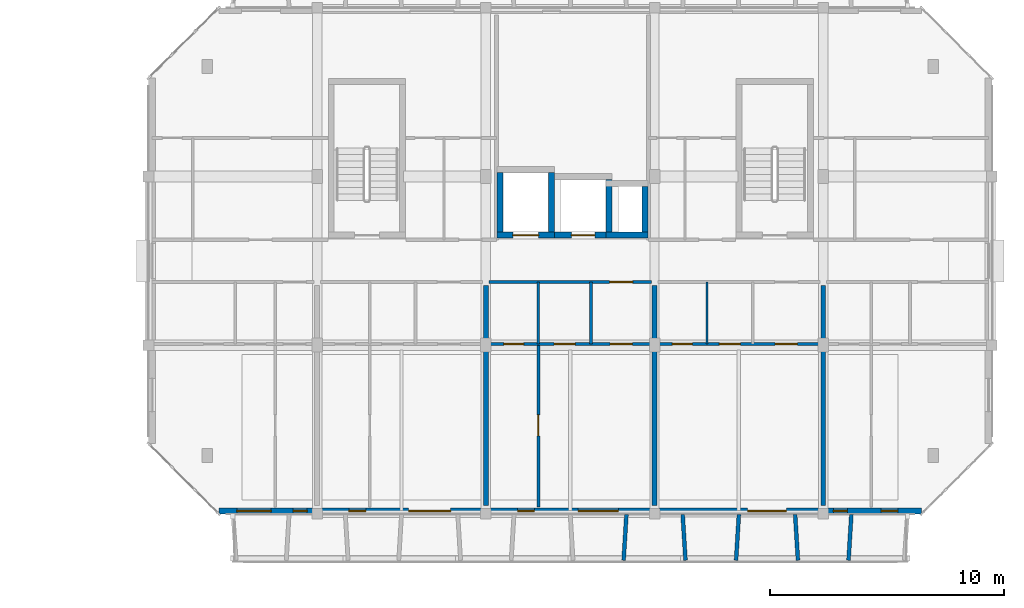
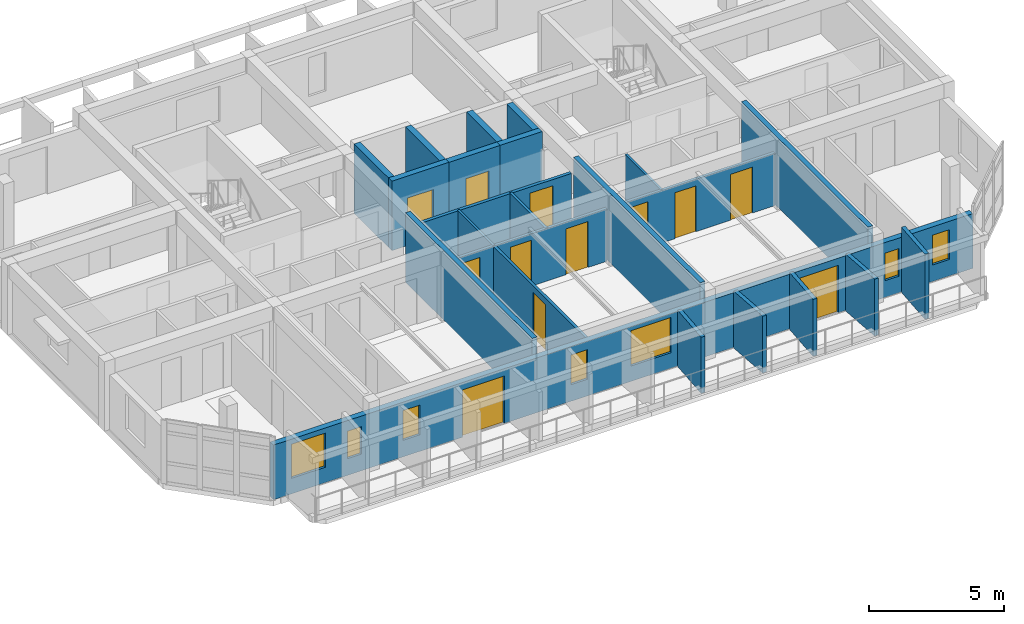
# One storey, part 26 of 43: 23 walls, 12 doors, 7 windows, 19 openings.
"""IFC4 building model written with IfcOpenShell, lengths in metres."""

from ifc_helpers import new_model, si_unit, direction, frame, frame_2d, origin, place, context, subcontext, project, spatial, rectangle, extrude, material, layer, layer_set, type_object, element, fill, save


model = new_model("IFC4")

# Units and contexts
model_context = context("Model", 3, precision=1e-05, world=origin(), true_north=direction((0.0, 1.0)))
body_context = subcontext(model_context, "Body", "Model", "MODEL_VIEW")
ifc_project = project(units=[si_unit("LENGTHUNIT", "METRE"), si_unit("AREAUNIT", "SQUARE_METRE"), si_unit("VOLUMEUNIT", "CUBIC_METRE"), si_unit("PLANEANGLEUNIT", "RADIAN"), si_unit("MASSUNIT", "GRAM", prefix="KILO")], contexts=[model_context])

# Site, building, storey
site_placement = place(None, origin())
site = spatial("IfcSite", under=ifc_project, at=site_placement, CompositionType="ELEMENT")
building_placement = place(site_placement, origin())
building = spatial("IfcBuilding", under=site, at=building_placement, Name="Ochrevale Crest", CompositionType="ELEMENT")
storey_placement = place(building_placement, frame((0.0, 0.0, 30.75)))
storey = spatial("IfcBuildingStorey", under=building, at=storey_placement, Name="L09", CompositionType="ELEMENT", Elevation=30.75)

# Wall, opening, door
ifc_material_1 = material(Name="Gypsum plasterboard", Category="gypsum")
ifc_layer_1 = layer(ifc_material_1, 0.139892578125)
ifc_layer_set_1 = layer_set([ifc_layer_1], Name="Gypsum plasterboard")
wall_type_1 = type_object("IfcWallType", Name="WL-COR-140", PredefinedType="PARTITIONING", material=ifc_layer_set_1)
wall_1_placement = place(storey_placement, frame((144.139892578125, 24.300048828125, 0.0), z_axis=(0.0, 0.0, 1.0), x_axis=(1.0, 0.0, 0.0)))
wall_1 = element("IfcWall", 1, at=wall_1_placement, inside=storey, type_object=wall_type_1, Name="Apartment C-L09-U3 corridor wall", PredefinedType="PARTITIONING", context=body_context, shape_type="SweptSolid", body=[
    extrude(rectangle(XDim=6.920166015625, YDim=0.139892578125, at=frame_2d((3.4599609375, 0.0))), origin(), (0.0, 0.0, 1.0), 2.3798828125),
])
opening_1_placement = place(wall_1_placement, frame((5.14501953125, 0.0, 0.0)))
opening_1 = element("IfcOpeningElement", 2, at=opening_1_placement, cuts=wall_1, Name="Opening FD01", PredefinedType="OPENING", context=body_context, shape_type="SweptSolid", body=[
    extrude(rectangle(XDim=0.97998046875, YDim=2.10009765625, at=frame_2d((0.489990234375, 1.050048828125))), frame((0.0, 0.080078125, 0.0), z_axis=(0.0, -1.0, 0.0), x_axis=(1.0, 0.0, 0.0)), (0.0, 0.0, 1.0), 0.159912109375),
])
ifc_material_2 = material(Name="Solid-core FSC hardwood", Category="wood")
door_type_1 = type_object("IfcDoorType", Name="DR-APT-950", OperationType="NOTDEFINED", PredefinedType="DOOR", material=ifc_material_2)
door_1_placement = place(opening_1_placement, origin())
door_1 = element("IfcDoor", 3, at=door_1_placement, inside=storey, type_object=door_type_1, Name="Apartment C-L09-U3 entrance door", OperationType="SINGLE_SWING_LEFT", OverallHeight=2.10009765625, OverallWidth=0.97998046875, PredefinedType="DOOR", context=body_context, shape_type="SweptSolid", body=[
    extrude(rectangle(XDim=0.97998046875, YDim=2.10009765625, at=frame_2d((0.489990234375, 1.050048828125))), frame((0.0, 0.02490234375, 0.0), z_axis=(0.0, -1.0, 0.0), x_axis=(1.0, 0.0, 0.0)), (0.0, 0.0, 1.0), 0.050048828125),
])
fill(opening_1, door_1)

ifc_material_3 = material(Name="Precast concrete C50/60", Category="concrete")
ifc_layer_2 = layer(ifc_material_3, 0.2548828125)
ifc_layer_set_2 = layer_set([ifc_layer_2], Name="Precast concrete C50/60")
wall_type_2 = type_object("IfcWallType", Name="WL-CORE-255", PredefinedType="SHEAR", material=ifc_layer_set_2)
wall_2_placement = place(storey_placement, frame((144.472412109375, 26.300048828125, 0.0), z_axis=(0.0, 0.0, 1.0), x_axis=(1.0, 0.0, 0.0)))
wall_2 = element("IfcWall", 4, at=wall_2_placement, inside=storey, type_object=wall_type_2, Name="Block C L09 Lift 1 precast shaft shear wall S", PredefinedType="SHEAR", context=body_context, shape_type="SweptSolid", body=[
    extrude(rectangle(XDim=2.455078125, YDim=0.2548828125, at=frame_2d((1.2275390625, 0.0))), origin(), (0.0, 0.0, 1.0), 3.14990234375),
])
opening_2_placement = place(wall_2_placement, frame((0.677490234375, 0.0, 0.0)))
opening_2 = element("IfcOpeningElement", 5, at=opening_2_placement, cuts=wall_2, Name="Opening LD01", PredefinedType="OPENING", context=body_context, shape_type="SweptSolid", body=[
    extrude(rectangle(XDim=1.10009765625, YDim=2.14990234375, at=frame_2d((0.550048828125, 1.074951171875))), frame((0.0, 0.137451171875, 0.0), z_axis=(0.0, -1.0, 0.0), x_axis=(1.0, 0.0, 0.0)), (0.0, 0.0, 1.0), 0.27490234375),
])
door_type_2 = type_object("IfcDoorType", Name="DR-LIFT-1100", OperationType="NOTDEFINED", PredefinedType="DOOR", material=ifc_material_2)
door_2_placement = place(opening_2_placement, origin())
door_2 = element("IfcDoor", 6, at=door_2_placement, inside=storey, type_object=door_type_2, Name="Lift LF-C1 L09 sliding landing door", OperationType="SLIDING_TO_LEFT", OverallHeight=2.14990234375, OverallWidth=1.10009765625, PredefinedType="DOOR", context=body_context, shape_type="SweptSolid", body=[
    extrude(rectangle(XDim=1.10009765625, YDim=2.14990234375, at=frame_2d((0.550048828125, 1.074951171875))), frame((0.0, 0.02490234375, 0.0), z_axis=(0.0, -1.0, 0.0), x_axis=(1.0, 0.0, 0.0)), (0.0, 0.0, 1.0), 0.050048828125),
])
fill(opening_2, door_2)

# Walls
for number, where, z_axis, x_axis, name in (
    (7, (144.60009765625, 26.427490234375, 0.0), (0.0, 0.0, 1.0), (0.0, 1.0, 0.0), "Block C L09 Lift 1 precast shaft shear wall W"),
    (8, (146.800048828125, 26.427490234375, 0.0), (0.0, 0.0, 1.0), (0.0, 1.0, 0.0), "Block C L09 Lift 1 precast shaft shear wall E"),
):
    element("IfcWall", number, at=place(storey_placement, frame(where, z_axis=z_axis, x_axis=x_axis)), inside=storey, type_object=wall_type_2, Name=name, PredefinedType="SHEAR", context=body_context, shape_type="SweptSolid", body=[
        extrude(rectangle(XDim=2.544921875, YDim=0.2548828125, at=frame_2d((1.2724609375, 0.0))), origin(), (0.0, 0.0, 1.0), 3.14990234375),
    ])

# Wall, opening, door
wall_3_placement = place(storey_placement, frame((146.922607421875, 26.300048828125, 0.0), z_axis=(0.0, 0.0, 1.0), x_axis=(1.0, 0.0, 0.0)))
wall_3 = element("IfcWall", 9, at=wall_3_placement, inside=storey, type_object=wall_type_2, Name="Block C L09 Lift 2 precast shaft shear wall S", PredefinedType="SHEAR", context=body_context, shape_type="SweptSolid", body=[
    extrude(rectangle(XDim=2.454833984375, YDim=0.2548828125, at=frame_2d((1.2275390625, 0.0))), origin(), (0.0, 0.0, 1.0), 3.14990234375),
])
opening_3_placement = place(wall_3_placement, frame((0.7275390625, 0.0, 0.0)))
opening_3 = element("IfcOpeningElement", 10, at=opening_3_placement, cuts=wall_3, Name="Opening LD02", PredefinedType="OPENING", context=body_context, shape_type="SweptSolid", body=[
    extrude(rectangle(XDim=1.0, YDim=2.14990234375, at=frame_2d((0.5, 1.074951171875))), frame((0.0, 0.137451171875, 0.0), z_axis=(0.0, -1.0, 0.0), x_axis=(1.0, 0.0, 0.0)), (0.0, 0.0, 1.0), 0.27490234375),
])
door_type_3 = type_object("IfcDoorType", Name="DR-LIFT-1000", OperationType="NOTDEFINED", PredefinedType="DOOR", material=ifc_material_2)
door_3_placement = place(opening_3_placement, origin())
door_3 = element("IfcDoor", 11, at=door_3_placement, inside=storey, type_object=door_type_3, Name="Lift LP-C2 L09 sliding landing door", OperationType="SLIDING_TO_RIGHT", OverallHeight=2.14990234375, OverallWidth=1.0, PredefinedType="DOOR", context=body_context, shape_type="SweptSolid", body=[
    extrude(rectangle(XDim=1.0, YDim=2.14990234375, at=frame_2d((0.5, 1.074951171875))), frame((0.0, 0.02490234375, 0.0), z_axis=(0.0, -1.0, 0.0), x_axis=(1.0, 0.0, 0.0)), (0.0, 0.0, 1.0), 0.050048828125),
])
fill(opening_3, door_3)

# Walls
wall_4_placement = place(storey_placement, frame((149.25, 26.427490234375, 0.0), z_axis=(0.0, 0.0, 1.0), x_axis=(0.0, 1.0, 0.0)))
element("IfcWall", 12, at=wall_4_placement, inside=storey, type_object=wall_type_2, Name="Block C L09 Lift 2 precast shaft shear wall E", PredefinedType="SHEAR", context=body_context, shape_type="SweptSolid", body=[
    extrude(rectangle(XDim=2.2451171875, YDim=0.2548828125, at=frame_2d((1.12255859375, 0.0))), origin(), (0.0, 0.0, 1.0), 3.14990234375),
])
wall_5_placement = place(storey_placement, frame((149.12255859375, 26.300048828125, 0.0), z_axis=(0.0, 0.0, 1.0), x_axis=(1.0, 0.0, 0.0)))
element("IfcWall", 13, at=wall_5_placement, inside=storey, type_object=wall_type_2, Name="Block C L09 services riser shaft core wall S", PredefinedType="SHEAR", context=body_context, shape_type="SweptSolid", body=[
    extrude(rectangle(XDim=1.804931640625, YDim=0.2548828125, at=frame_2d((0.90234375, 0.0))), origin(), (0.0, 0.0, 1.0), 3.14990234375),
])
wall_6_placement = place(storey_placement, frame((150.800048828125, 26.427490234375, 0.0), z_axis=(0.0, 0.0, 1.0), x_axis=(0.0, 1.0, 0.0)))
element("IfcWall", 14, at=wall_6_placement, inside=storey, type_object=wall_type_2, Name="Block C L09 services riser shaft core wall E", PredefinedType="SHEAR", context=body_context, shape_type="SweptSolid", body=[
    extrude(rectangle(XDim=1.945068359375, YDim=0.2548828125, at=frame_2d((0.97265625, 0.0))), origin(), (0.0, 0.0, 1.0), 3.14990234375),
])

# Wall, openings, doors, windows
ifc_material_4 = material(Name="Precast concrete C40/50", Category="concrete")
ifc_layer_3 = layer(ifc_material_4, 0.25)
ifc_layer_set_3 = layer_set([ifc_layer_3], Name="Precast concrete C40/50")
wall_type_3 = type_object("IfcWallType", Name="WL-EXT-GOLD-250", PredefinedType="SOLIDWALL", material=ifc_layer_set_3)
wall_7_placement = place(storey_placement, frame((132.60009765625, 14.52490234375, 0.0), z_axis=(0.0, 0.0, 1.0), x_axis=(1.0, 0.0, 0.0)))
wall_7 = element("IfcWall", 15, at=wall_7_placement, inside=storey, type_object=wall_type_3, Name="Block C L09 external facade wall E1", PredefinedType="SOLIDWALL", context=body_context, shape_type="SweptSolid", body=[
    extrude(rectangle(XDim=30.0, YDim=0.25, at=frame_2d((15.0, 0.0))), origin(), (0.0, 0.0, 1.0), 2.47998046875),
])
opening_4_placement = place(wall_7_placement, frame((9.900146484375, 0.0, 0.0), z_axis=(0.0, 0.0, 1.0), x_axis=(-1.0, 0.0, 0.0)))
opening_4 = element("IfcOpeningElement", 16, at=opening_4_placement, cuts=wall_7, Name="Opening BD03", PredefinedType="OPENING", context=body_context, shape_type="SweptSolid", body=[
    extrude(rectangle(XDim=1.800048828125, YDim=2.14990234375, at=frame_2d((0.89990234375, 1.074951171875))), frame((0.0, 0.135009765625, 0.0), z_axis=(0.0, -1.0, 0.0), x_axis=(1.0, 0.0, 0.0)), (0.0, 0.0, 1.0), 0.27001953125),
])
opening_5_placement = place(wall_7_placement, frame((24.224853515625, 0.0, 0.0), z_axis=(0.0, 0.0, 1.0), x_axis=(-1.0, 0.0, 0.0)))
opening_5 = element("IfcOpeningElement", 17, at=opening_5_placement, cuts=wall_7, Name="Opening BD02", PredefinedType="OPENING", context=body_context, shape_type="SweptSolid", body=[
    extrude(rectangle(XDim=1.64990234375, YDim=2.14990234375, at=frame_2d((0.824951171875, 1.074951171875))), frame((0.0, 0.135009765625, 0.0), z_axis=(0.0, -1.0, 0.0), x_axis=(1.0, 0.0, 0.0)), (0.0, 0.0, 1.0), 0.27001953125),
])
opening_6_placement = place(wall_7_placement, frame((0.77001953125, 0.0, 0.699951171875)))
opening_6 = element("IfcOpeningElement", 18, at=opening_6_placement, cuts=wall_7, Name="Opening W08", PredefinedType="OPENING", context=body_context, shape_type="SweptSolid", body=[
    extrude(rectangle(XDim=1.4599609375, YDim=1.550048828125, at=frame_2d((0.72998046875, 0.77490234375))), frame((0.0, 0.135009765625, 0.0), z_axis=(0.0, -1.0, 0.0), x_axis=(1.0, 0.0, 0.0)), (0.0, 0.0, 1.0), 0.27001953125),
])
opening_7_placement = place(wall_7_placement, frame((3.16748046875, 0.0, 0.75)))
opening_7 = element("IfcOpeningElement", 19, at=opening_7_placement, cuts=wall_7, Name="Opening W01", PredefinedType="OPENING", context=body_context, shape_type="SweptSolid", body=[
    extrude(rectangle(XDim=0.60009765625, YDim=1.25, at=frame_2d((0.300048828125, 0.625))), frame((0.0, 0.135009765625, 0.0), z_axis=(0.0, -1.0, 0.0), x_axis=(1.0, 0.0, 0.0)), (0.0, 0.0, 1.0), 0.27001953125),
])
opening_8_placement = place(wall_7_placement, frame((5.554931640625, 0.0, 0.75)))
opening_8 = element("IfcOpeningElement", 20, at=opening_8_placement, cuts=wall_7, Name="Opening W02", PredefinedType="OPENING", context=body_context, shape_type="SweptSolid", body=[
    extrude(rectangle(XDim=0.719970703125, YDim=1.35009765625, at=frame_2d((0.35986328125, 0.675048828125))), frame((0.0, 0.135009765625, 0.0), z_axis=(0.0, -1.0, 0.0), x_axis=(1.0, 0.0, 0.0)), (0.0, 0.0, 1.0), 0.27001953125),
])
opening_9_placement = place(wall_7_placement, frame((12.7548828125, 0.0, 0.75)))
opening_9 = element("IfcOpeningElement", 21, at=opening_9_placement, cuts=wall_7, Name="Opening W02", PredefinedType="OPENING", context=body_context, shape_type="SweptSolid", body=[
    extrude(rectangle(XDim=0.719970703125, YDim=1.35009765625, at=frame_2d((0.35986328125, 0.675048828125))), frame((0.0, 0.135009765625, 0.0), z_axis=(0.0, -1.0, 0.0), x_axis=(1.0, 0.0, 0.0)), (0.0, 0.0, 1.0), 0.27001953125),
])
opening_10_placement = place(wall_7_placement, frame((15.340087890625, 0.0, 0.699951171875)))
opening_10 = element("IfcOpeningElement", 22, at=opening_10_placement, cuts=wall_7, Name="Opening W10", PredefinedType="OPENING", context=body_context, shape_type="SweptSolid", body=[
    extrude(rectangle(XDim=1.719970703125, YDim=1.60009765625, at=frame_2d((0.85986328125, 0.800048828125))), frame((0.0, 0.135009765625, 0.0), z_axis=(0.0, -1.0, 0.0), x_axis=(1.0, 0.0, 0.0)), (0.0, 0.0, 1.0), 0.27001953125),
])
opening_11_placement = place(wall_7_placement, frame((26.232421875, 0.0, 0.75)))
opening_11 = element("IfcOpeningElement", 23, at=opening_11_placement, cuts=wall_7, Name="Opening W01", PredefinedType="OPENING", context=body_context, shape_type="SweptSolid", body=[
    extrude(rectangle(XDim=0.60009765625, YDim=1.25, at=frame_2d((0.300048828125, 0.625))), frame((0.0, 0.135009765625, 0.0), z_axis=(0.0, -1.0, 0.0), x_axis=(1.0, 0.0, 0.0)), (0.0, 0.0, 1.0), 0.27001953125),
])
opening_12_placement = place(wall_7_placement, frame((28.27001953125, 0.0, 0.75)))
opening_12 = element("IfcOpeningElement", 24, at=opening_12_placement, cuts=wall_7, Name="Opening W02", PredefinedType="OPENING", context=body_context, shape_type="SweptSolid", body=[
    extrude(rectangle(XDim=0.719970703125, YDim=1.35009765625, at=frame_2d((0.35986328125, 0.675048828125))), frame((0.0, 0.135009765625, 0.0), z_axis=(0.0, -1.0, 0.0), x_axis=(1.0, 0.0, 0.0)), (0.0, 0.0, 1.0), 0.27001953125),
])
ifc_material_5 = material(Name="Anodised aluminium 6063-T5 and toughened glass", Category="aluminium")
door_type_4 = type_object("IfcDoorType", Name="DR-BAL-1650", OperationType="NOTDEFINED", PredefinedType="DOOR", material=ifc_material_5)
door_4_placement = place(opening_5_placement, origin())
door_4 = element("IfcDoor", 25, at=door_4_placement, inside=storey, type_object=door_type_4, Name="Block C L09 balcony door S4", OperationType="SINGLE_SWING_LEFT", OverallHeight=2.14990234375, OverallWidth=1.64990234375, PredefinedType="DOOR", context=body_context, shape_type="SweptSolid", body=[
    extrude(rectangle(XDim=1.64990234375, YDim=2.14990234375, at=frame_2d((0.824951171875, 1.074951171875))), frame((0.0, 0.02490234375, 0.0), z_axis=(0.0, -1.0, 0.0), x_axis=(1.0, 0.0, 0.0)), (0.0, 0.0, 1.0), 0.050048828125),
])
fill(opening_5, door_4)
door_type_5 = type_object("IfcDoorType", Name="DR-BAL-1800", OperationType="NOTDEFINED", PredefinedType="DOOR", material=ifc_material_5)
door_5_placement = place(opening_4_placement, origin())
door_5 = element("IfcDoor", 26, at=door_5_placement, inside=storey, type_object=door_type_5, Name="Block C L09 balcony door S2", OperationType="SINGLE_SWING_RIGHT", OverallHeight=2.14990234375, OverallWidth=1.800048828125, PredefinedType="DOOR", context=body_context, shape_type="SweptSolid", body=[
    extrude(rectangle(XDim=1.800048828125, YDim=2.14990234375, at=frame_2d((0.89990234375, 1.074951171875))), frame((0.0, 0.02490234375, 0.0), z_axis=(0.0, -1.0, 0.0), x_axis=(1.0, 0.0, 0.0)), (0.0, 0.0, 1.0), 0.050048828125),
])
fill(opening_4, door_5)
ifc_material_6 = material(Name="Anodised aluminium 6063-T5 and low-E double glazing", Category="aluminium")
window_type_1 = type_object("IfcWindowType", Name="WIN-W01", PartitioningType="SINGLE_PANEL", PredefinedType="WINDOW", material=ifc_material_6)
window_1_placement = place(opening_7_placement, origin())
window_1 = element("IfcWindow", 27, at=window_1_placement, inside=storey, type_object=window_type_1, Name="Block C L09 Apartment C-L09-U1 One Bedroom Living Room window", OverallHeight=1.25, OverallWidth=0.60009765625, PartitioningType="SINGLE_PANEL", PredefinedType="WINDOW", context=body_context, shape_type="SweptSolid", body=[
    extrude(rectangle(XDim=0.60009765625, YDim=1.25, at=frame_2d((0.300048828125, 0.625))), frame((0.0, 0.030029296875, 0.0), z_axis=(0.0, -1.0, 0.0), x_axis=(1.0, 0.0, 0.0)), (0.0, 0.0, 1.0), 0.06005859375),
])
fill(opening_7, window_1)
window_2_placement = place(opening_11_placement, origin())
window_2 = element("IfcWindow", 28, at=window_2_placement, inside=storey, type_object=window_type_1, Name="Block C L09 Apartment C-L09-U5 Master Bedroom window", OverallHeight=1.25, OverallWidth=0.60009765625, PartitioningType="SINGLE_PANEL", PredefinedType="WINDOW", context=body_context, shape_type="SweptSolid", body=[
    extrude(rectangle(XDim=0.60009765625, YDim=1.25, at=frame_2d((0.300048828125, 0.625))), frame((0.0, 0.030029296875, 0.0), z_axis=(0.0, -1.0, 0.0), x_axis=(1.0, 0.0, 0.0)), (0.0, 0.0, 1.0), 0.06005859375),
])
fill(opening_11, window_2)
window_type_2 = type_object("IfcWindowType", Name="WIN-W02", PartitioningType="SINGLE_PANEL", PredefinedType="WINDOW", material=ifc_material_6)
window_3_placement = place(opening_8_placement, origin())
window_3 = element("IfcWindow", 29, at=window_3_placement, inside=storey, type_object=window_type_2, Name="Block C L09 Apartment C-L09-U2 Master Bedroom window", OverallHeight=1.35009765625, OverallWidth=0.719970703125, PartitioningType="SINGLE_PANEL", PredefinedType="WINDOW", context=body_context, shape_type="SweptSolid", body=[
    extrude(rectangle(XDim=0.719970703125, YDim=1.35009765625, at=frame_2d((0.35986328125, 0.675048828125))), frame((0.0, 0.030029296875, 0.0), z_axis=(0.0, -1.0, 0.0), x_axis=(1.0, 0.0, 0.0)), (0.0, 0.0, 1.0), 0.06005859375),
])
fill(opening_8, window_3)
window_4_placement = place(opening_9_placement, origin())
window_4 = element("IfcWindow", 30, at=window_4_placement, inside=storey, type_object=window_type_2, Name="Block C L09 Apartment C-L09-U3 Twin Bedroom window", OverallHeight=1.35009765625, OverallWidth=0.719970703125, PartitioningType="SINGLE_PANEL", PredefinedType="WINDOW", context=body_context, shape_type="SweptSolid", body=[
    extrude(rectangle(XDim=0.719970703125, YDim=1.35009765625, at=frame_2d((0.35986328125, 0.675048828125))), frame((0.0, 0.030029296875, 0.0), z_axis=(0.0, -1.0, 0.0), x_axis=(1.0, 0.0, 0.0)), (0.0, 0.0, 1.0), 0.06005859375),
])
fill(opening_9, window_4)
window_5_placement = place(opening_12_placement, origin())
window_5 = element("IfcWindow", 31, at=window_5_placement, inside=storey, type_object=window_type_2, Name="Block C L09 Apartment C-L09-U5 One Bedroom Living Room window", OverallHeight=1.35009765625, OverallWidth=0.719970703125, PartitioningType="SINGLE_PANEL", PredefinedType="WINDOW", context=body_context, shape_type="SweptSolid", body=[
    extrude(rectangle(XDim=0.719970703125, YDim=1.35009765625, at=frame_2d((0.35986328125, 0.675048828125))), frame((0.0, 0.030029296875, 0.0), z_axis=(0.0, -1.0, 0.0), x_axis=(1.0, 0.0, 0.0)), (0.0, 0.0, 1.0), 0.06005859375),
])
fill(opening_12, window_5)
window_type_3 = type_object("IfcWindowType", Name="WIN-W08", PartitioningType="SINGLE_PANEL", PredefinedType="WINDOW", material=ifc_material_6)
window_6_placement = place(opening_6_placement, origin())
window_6 = element("IfcWindow", 32, at=window_6_placement, inside=storey, type_object=window_type_3, Name="Block C L09 Apartment C-L09-U1 Master Bedroom window", OverallHeight=1.550048828125, OverallWidth=1.4599609375, PartitioningType="SINGLE_PANEL", PredefinedType="WINDOW", context=body_context, shape_type="SweptSolid", body=[
    extrude(rectangle(XDim=1.4599609375, YDim=1.550048828125, at=frame_2d((0.72998046875, 0.77490234375))), frame((0.0, 0.030029296875, 0.0), z_axis=(0.0, -1.0, 0.0), x_axis=(1.0, 0.0, 0.0)), (0.0, 0.0, 1.0), 0.06005859375),
])
fill(opening_6, window_6)
window_type_4 = type_object("IfcWindowType", Name="WIN-W10", PartitioningType="SINGLE_PANEL", PredefinedType="WINDOW", material=ifc_material_6)
window_7_placement = place(opening_10_placement, origin())
window_7 = element("IfcWindow", 33, at=window_7_placement, inside=storey, type_object=window_type_4, Name="Block C L09 Apartment C-L09-U3 Three Bedroom Family Living window", OverallHeight=1.60009765625, OverallWidth=1.719970703125, PartitioningType="SINGLE_PANEL", PredefinedType="WINDOW", context=body_context, shape_type="SweptSolid", body=[
    extrude(rectangle(XDim=1.719970703125, YDim=1.60009765625, at=frame_2d((0.85986328125, 0.800048828125))), frame((0.0, 0.030029296875, 0.0), z_axis=(0.0, -1.0, 0.0), x_axis=(1.0, 0.0, 0.0)), (0.0, 0.0, 1.0), 0.06005859375),
])
fill(opening_10, window_7)

# Walls
ifc_layer_4 = layer(ifc_material_4, 0.1650390625)
ifc_layer_set_4 = layer_set([ifc_layer_4], Name="Precast concrete C40/50")
wall_type_4 = type_object("IfcWallType", Name="WL-HC-CHEEK-165", PredefinedType="ELEMENTEDWALL", material=ifc_layer_set_4)
wall_8_placement = place(storey_placement, frame((150.0, 14.3798828125, 0.0), z_axis=(0.0, 0.0, 1.0), x_axis=(-0.061170732449, -0.998127317276, 0.0)))
element("IfcWall", 34, at=wall_8_placement, inside=storey, type_object=wall_type_4, Name="Block C L09 S precast honeycomb cheek 8", PredefinedType="ELEMENTEDWALL", context=body_context, shape_type="SweptSolid", body=[
    extrude(rectangle(XDim=1.963623046875, YDim=0.1650390625, at=frame_2d((0.98193359375, 0.0))), origin(), (0.0, 0.0, 1.0), 2.550048828125),
])
for number, where, z_axis, x_axis, name in (
    (35, (152.39990234375, 14.3798828125, 0.0), (0.0, 0.0, 1.0), (0.061170732449, -0.998127317276, 0.0), "Block C L09 S precast honeycomb cheek 9"),
    (36, (154.800048828125, 14.3798828125, 0.0), (0.0, 0.0, 1.0), (-0.061170732449, -0.998127317276, 0.0), "Block C L09 S precast honeycomb cheek 10"),
    (37, (157.199951171875, 14.3798828125, 0.0), (0.0, 0.0, 1.0), (0.061170732449, -0.998127317276, 0.0), "Block C L09 S precast honeycomb cheek 11"),
):
    element("IfcWall", number, at=place(storey_placement, frame(where, z_axis=z_axis, x_axis=x_axis)), inside=storey, type_object=wall_type_4, Name=name, PredefinedType="ELEMENTEDWALL", context=body_context, shape_type="SweptSolid", body=[
        extrude(rectangle(XDim=1.963623046875, YDim=0.1650390625, at=frame_2d((0.98193359375, 0.0))), origin(), (0.0, 0.0, 1.0), 2.580078125),
    ])
wall_9_placement = place(storey_placement, frame((159.60009765625, 14.3798828125, 0.0), z_axis=(0.0, 0.0, 1.0), x_axis=(-0.061170732449, -0.998127317276, 0.0)))
element("IfcWall", 38, at=wall_9_placement, inside=storey, type_object=wall_type_4, Name="Block C L09 S precast honeycomb cheek 12", PredefinedType="ELEMENTEDWALL", context=body_context, shape_type="SweptSolid", body=[
    extrude(rectangle(XDim=1.963623046875, YDim=0.1650390625, at=frame_2d((0.98193359375, 0.0))), origin(), (0.0, 0.0, 1.0), 2.949951171875),
])
ifc_layer_5 = layer(ifc_material_1, 0.1201171875)
ifc_layer_set_5 = layer_set([ifc_layer_5], Name="Gypsum plasterboard")
wall_type_5 = type_object("IfcWallType", Name="WL-PART-120", PredefinedType="PARTITIONING", material=ifc_layer_set_5)
wall_10_placement = place(storey_placement, frame((148.489990234375, 21.64990234375, 0.0), z_axis=(0.0, 0.0, 1.0), x_axis=(0.0, 1.0, 0.0)))
element("IfcWall", 39, at=wall_10_placement, inside=storey, type_object=wall_type_5, Name="Apartment C-L09-U3 kitchen-foyer wall", PredefinedType="PARTITIONING", context=body_context, shape_type="SweptSolid", body=[
    extrude(rectangle(XDim=2.650146484375, YDim=0.1201171875, at=frame_2d((1.3251953125, 0.0))), origin(), (0.0, 0.0, 1.0), 2.3798828125),
])

# Wall, openings, doors
wall_11_placement = place(storey_placement, frame((144.139892578125, 21.64990234375, 0.0), z_axis=(0.0, 0.0, 1.0), x_axis=(1.0, 0.0, 0.0)))
wall_11 = element("IfcWall", 40, at=wall_11_placement, inside=storey, type_object=wall_type_5, Name="Apartment C-L09-U3 central partition", PredefinedType="PARTITIONING", context=body_context, shape_type="SweptSolid", body=[
    extrude(rectangle(XDim=6.920166015625, YDim=0.1201171875, at=frame_2d((3.4599609375, 0.0))), origin(), (0.0, 0.0, 1.0), 2.3798828125),
])
opening_13_placement = place(wall_11_placement, frame((1.47509765625, 0.0, 0.0), z_axis=(0.0, 0.0, 1.0), x_axis=(-1.0, 0.0, 0.0)))
opening_13 = element("IfcOpeningElement", 41, at=opening_13_placement, cuts=wall_11, Name="Opening ID01", PredefinedType="OPENING", context=body_context, shape_type="SweptSolid", body=[
    extrude(rectangle(XDim=0.85009765625, YDim=2.080078125, at=frame_2d((0.425048828125, 1.0400390625))), frame((0.0, 0.070068359375, 0.0), z_axis=(0.0, -1.0, 0.0), x_axis=(1.0, 0.0, 0.0)), (0.0, 0.0, 1.0), 0.14013671875),
])
opening_14_placement = place(wall_11_placement, frame((2.77490234375, 0.0, 0.0)))
opening_14 = element("IfcOpeningElement", 42, at=opening_14_placement, cuts=wall_11, Name="Opening ID02", PredefinedType="OPENING", context=body_context, shape_type="SweptSolid", body=[
    extrude(rectangle(XDim=0.89990234375, YDim=2.080078125, at=frame_2d((0.449951171875, 1.0400390625))), frame((0.0, 0.070068359375, 0.0), z_axis=(0.0, -1.0, 0.0), x_axis=(1.0, 0.0, 0.0)), (0.0, 0.0, 1.0), 0.14013671875),
])
opening_15_placement = place(wall_11_placement, frame((6.10986328125, 0.0, 0.0), z_axis=(0.0, 0.0, 1.0), x_axis=(-1.0, 0.0, 0.0)))
opening_15 = element("IfcOpeningElement", 43, at=opening_15_placement, cuts=wall_11, Name="Opening ID06", PredefinedType="OPENING", context=body_context, shape_type="SweptSolid", body=[
    extrude(rectangle(XDim=0.949951171875, YDim=2.080078125, at=frame_2d((0.47509765625, 1.0400390625))), frame((0.0, 0.070068359375, 0.0), z_axis=(0.0, -1.0, 0.0), x_axis=(1.0, 0.0, 0.0)), (0.0, 0.0, 1.0), 0.14013671875),
])
door_type_6 = type_object("IfcDoorType", Name="DR-INT-900", OperationType="NOTDEFINED", PredefinedType="DOOR", material=ifc_material_2)
door_6_placement = place(opening_14_placement, origin())
door_6 = element("IfcDoor", 44, at=door_6_placement, inside=storey, type_object=door_type_6, Name="Apartment C-L09-U3 Kitchen door", OperationType="SINGLE_SWING_LEFT", OverallHeight=2.080078125, OverallWidth=0.89990234375, PredefinedType="DOOR", context=body_context, shape_type="SweptSolid", body=[
    extrude(rectangle(XDim=0.89990234375, YDim=2.080078125, at=frame_2d((0.449951171875, 1.0400390625))), frame((0.0, 0.02490234375, 0.0), z_axis=(0.0, -1.0, 0.0), x_axis=(1.0, 0.0, 0.0)), (0.0, 0.0, 1.0), 0.050048828125),
])
fill(opening_14, door_6)
door_type_7 = type_object("IfcDoorType", Name="DR-INT-950", OperationType="NOTDEFINED", PredefinedType="DOOR", material=ifc_material_2)
door_7_placement = place(opening_15_placement, origin())
door_7 = element("IfcDoor", 45, at=door_7_placement, inside=storey, type_object=door_type_7, Name="Apartment C-L09-U3 Living Foyer door", OperationType="SINGLE_SWING_RIGHT", OverallHeight=2.080078125, OverallWidth=0.949951171875, PredefinedType="DOOR", context=body_context, shape_type="SweptSolid", body=[
    extrude(rectangle(XDim=0.949951171875, YDim=2.080078125, at=frame_2d((0.47509765625, 1.0400390625))), frame((0.0, 0.02490234375, 0.0), z_axis=(0.0, -1.0, 0.0), x_axis=(1.0, 0.0, 0.0)), (0.0, 0.0, 1.0), 0.050048828125),
])
fill(opening_15, door_7)
door_type_8 = type_object("IfcDoorType", Name="DR-WC-850", OperationType="NOTDEFINED", PredefinedType="DOOR", material=ifc_material_2)
door_8_placement = place(opening_13_placement, origin())
door_8 = element("IfcDoor", 46, at=door_8_placement, inside=storey, type_object=door_type_8, Name="Apartment C-L09-U3 Bathroom door", OperationType="SINGLE_SWING_RIGHT", OverallHeight=2.080078125, OverallWidth=0.85009765625, PredefinedType="DOOR", context=body_context, shape_type="SweptSolid", body=[
    extrude(rectangle(XDim=0.85009765625, YDim=2.080078125, at=frame_2d((0.425048828125, 1.0400390625))), frame((0.0, 0.02490234375, 0.0), z_axis=(0.0, -1.0, 0.0), x_axis=(1.0, 0.0, 0.0)), (0.0, 0.0, 1.0), 0.050048828125),
])
fill(opening_13, door_8)

# Wall, opening, door
wall_12_placement = place(storey_placement, frame((146.239990234375, 14.699951171875, 0.0), z_axis=(0.0, 0.0, 1.0), x_axis=(0.0, 1.0, 0.0)))
wall_12 = element("IfcWall", 47, at=wall_12_placement, inside=storey, type_object=wall_type_5, Name="Apartment C-L09-U3 bedroom partition", PredefinedType="PARTITIONING", context=body_context, shape_type="SweptSolid", body=[
    extrude(rectangle(XDim=6.949951171875, YDim=0.1201171875, at=frame_2d((3.47509765625, 0.0))), origin(), (0.0, 0.0, 1.0), 2.3798828125),
])
opening_16_placement = place(wall_12_placement, frame((3.02490234375, 0.0, 0.0)))
opening_16 = element("IfcOpeningElement", 48, at=opening_16_placement, cuts=wall_12, Name="Opening ID02", PredefinedType="OPENING", context=body_context, shape_type="SweptSolid", body=[
    extrude(rectangle(XDim=0.89990234375, YDim=2.080078125, at=frame_2d((0.449951171875, 1.0400390625))), frame((0.0, 0.070068359375, 0.0), z_axis=(0.0, -1.0, 0.0), x_axis=(1.0, 0.0, 0.0)), (0.0, 0.0, 1.0), 0.14013671875),
])
door_9_placement = place(opening_16_placement, origin())
door_9 = element("IfcDoor", 49, at=door_9_placement, inside=storey, type_object=door_type_6, Name="Apartment C-L09-U3 Twin Bedroom door", OperationType="SINGLE_SWING_LEFT", OverallHeight=2.080078125, OverallWidth=0.89990234375, PredefinedType="DOOR", context=body_context, shape_type="SweptSolid", body=[
    extrude(rectangle(XDim=0.89990234375, YDim=2.080078125, at=frame_2d((0.449951171875, 1.0400390625))), frame((0.0, 0.02490234375, 0.0), z_axis=(0.0, -1.0, 0.0), x_axis=(1.0, 0.0, 0.0)), (0.0, 0.0, 1.0), 0.050048828125),
])
fill(opening_16, door_9)

# Wall, openings, doors
wall_13_placement = place(storey_placement, frame((151.340087890625, 21.64990234375, 0.0), z_axis=(0.0, 0.0, 1.0), x_axis=(1.0, 0.0, 0.0)))
wall_13 = element("IfcWall", 50, at=wall_13_placement, inside=storey, type_object=wall_type_5, Name="Apartment C-L09-U4 central partition", PredefinedType="PARTITIONING", context=body_context, shape_type="SweptSolid", body=[
    extrude(rectangle(XDim=6.919921875, YDim=0.1201171875, at=frame_2d((3.4599609375, 0.0))), origin(), (0.0, 0.0, 1.0), 2.3798828125),
])
opening_17_placement = place(wall_13_placement, frame((0.625, 0.0, 0.0)))
opening_17 = element("IfcOpeningElement", 51, at=opening_17_placement, cuts=wall_13, Name="Opening ID01", PredefinedType="OPENING", context=body_context, shape_type="SweptSolid", body=[
    extrude(rectangle(XDim=0.85009765625, YDim=2.080078125, at=frame_2d((0.425048828125, 1.0400390625))), frame((0.0, 0.070068359375, 0.0), z_axis=(0.0, -1.0, 0.0), x_axis=(1.0, 0.0, 0.0)), (0.0, 0.0, 1.0), 0.14013671875),
])
opening_18_placement = place(wall_13_placement, frame((3.52490234375, 0.0, 0.0), z_axis=(0.0, 0.0, 1.0), x_axis=(-1.0, 0.0, 0.0)))
opening_18 = element("IfcOpeningElement", 52, at=opening_18_placement, cuts=wall_13, Name="Opening ID02", PredefinedType="OPENING", context=body_context, shape_type="SweptSolid", body=[
    extrude(rectangle(XDim=0.89990234375, YDim=2.080078125, at=frame_2d((0.449951171875, 1.0400390625))), frame((0.0, 0.070068359375, 0.0), z_axis=(0.0, -1.0, 0.0), x_axis=(1.0, 0.0, 0.0)), (0.0, 0.0, 1.0), 0.14013671875),
])
opening_19_placement = place(wall_13_placement, frame((5.010009765625, 0.0, 0.0)))
opening_19 = element("IfcOpeningElement", 53, at=opening_19_placement, cuts=wall_13, Name="Opening ID06", PredefinedType="OPENING", context=body_context, shape_type="SweptSolid", body=[
    extrude(rectangle(XDim=0.949951171875, YDim=2.080078125, at=frame_2d((0.47509765625, 1.0400390625))), frame((0.0, 0.070068359375, 0.0), z_axis=(0.0, -1.0, 0.0), x_axis=(1.0, 0.0, 0.0)), (0.0, 0.0, 1.0), 0.14013671875),
])
door_10_placement = place(opening_18_placement, origin())
door_10 = element("IfcDoor", 54, at=door_10_placement, inside=storey, type_object=door_type_6, Name="Apartment C-L09-U4 Kitchen door", OperationType="SINGLE_SWING_RIGHT", OverallHeight=2.080078125, OverallWidth=0.89990234375, PredefinedType="DOOR", context=body_context, shape_type="SweptSolid", body=[
    extrude(rectangle(XDim=0.89990234375, YDim=2.080078125, at=frame_2d((0.449951171875, 1.0400390625))), frame((0.0, 0.02490234375, 0.0), z_axis=(0.0, -1.0, 0.0), x_axis=(1.0, 0.0, 0.0)), (0.0, 0.0, 1.0), 0.050048828125),
])
fill(opening_18, door_10)
door_11_placement = place(opening_19_placement, origin())
door_11 = element("IfcDoor", 55, at=door_11_placement, inside=storey, type_object=door_type_7, Name="Apartment C-L09-U4 Living Foyer door", OperationType="SINGLE_SWING_LEFT", OverallHeight=2.080078125, OverallWidth=0.949951171875, PredefinedType="DOOR", context=body_context, shape_type="SweptSolid", body=[
    extrude(rectangle(XDim=0.949951171875, YDim=2.080078125, at=frame_2d((0.47509765625, 1.0400390625))), frame((0.0, 0.02490234375, 0.0), z_axis=(0.0, -1.0, 0.0), x_axis=(1.0, 0.0, 0.0)), (0.0, 0.0, 1.0), 0.050048828125),
])
fill(opening_19, door_11)
door_12_placement = place(opening_17_placement, origin())
door_12 = element("IfcDoor", 56, at=door_12_placement, inside=storey, type_object=door_type_8, Name="Apartment C-L09-U4 Bathroom door", OperationType="SINGLE_SWING_LEFT", OverallHeight=2.080078125, OverallWidth=0.85009765625, PredefinedType="DOOR", context=body_context, shape_type="SweptSolid", body=[
    extrude(rectangle(XDim=0.85009765625, YDim=2.080078125, at=frame_2d((0.425048828125, 1.0400390625))), frame((0.0, 0.02490234375, 0.0), z_axis=(0.0, -1.0, 0.0), x_axis=(1.0, 0.0, 0.0)), (0.0, 0.0, 1.0), 0.050048828125),
])
fill(opening_17, door_12)

# Walls
ifc_layer_6 = layer(ifc_material_4, 0.2099609375)
ifc_layer_set_6 = layer_set([ifc_layer_6], Name="Precast concrete C40/50")
wall_type_6 = type_object("IfcWallType", Name="WL-SHEAR-210", PredefinedType="SHEAR", material=ifc_layer_set_6)
for number, where, z_axis, x_axis, name in (
    (57, (144.0, 14.75, 0.0), (0.0, 0.0, 1.0), (0.0, 1.0, 0.0), "Block C L09 load-bearing precast cross-wall X=144.0"),
    (58, (151.199951171875, 14.75, 0.0), (0.0, 0.0, 1.0), (0.0, 1.0, 0.0), "Block C L09 load-bearing precast cross-wall X=151.2"),
    (59, (158.39990234375, 14.75, 0.0), (0.0, 0.0, 1.0), (0.0, 1.0, 0.0), "Block C L09 load-bearing precast cross-wall X=158.4"),
):
    element("IfcWall", number, at=place(storey_placement, frame(where, z_axis=z_axis, x_axis=x_axis)), inside=storey, type_object=wall_type_6, Name=name, PredefinedType="SHEAR", context=body_context, shape_type="SweptSolid", body=[
        extrude(rectangle(XDim=9.39990234375, YDim=0.2099609375, at=frame_2d((4.699951171875, 0.0))), origin(), (0.0, 0.0, 1.0), 3.14990234375),
    ])
ifc_layer_7 = layer(ifc_material_1, 0.10009765625)
ifc_layer_set_7 = layer_set([ifc_layer_7], Name="Gypsum plasterboard")
wall_type_7 = type_object("IfcWallType", Name="WL-WET-100", PredefinedType="PARTITIONING", material=ifc_layer_set_7)
for number, where, z_axis, x_axis, name in (
    (60, (146.239990234375, 21.64990234375, 0.0), (0.0, 0.0, 1.0), (0.0, 1.0, 0.0), "Apartment C-L09-U3 bath-kitchen wall"),
    (61, (153.43994140625, 21.64990234375, 0.0), (0.0, 0.0, 1.0), (0.0, 1.0, 0.0), "Apartment C-L09-U4 bath-kitchen wall"),
):
    element("IfcWall", number, at=place(storey_placement, frame(where, z_axis=z_axis, x_axis=x_axis)), inside=storey, type_object=wall_type_7, Name=name, PredefinedType="PARTITIONING", context=body_context, shape_type="SweptSolid", body=[
        extrude(rectangle(XDim=2.650146484375, YDim=0.10009765625, at=frame_2d((1.3251953125, 0.0))), origin(), (0.0, 0.0, 1.0), 2.3798828125),
    ])

save(model, "model.ifc")
